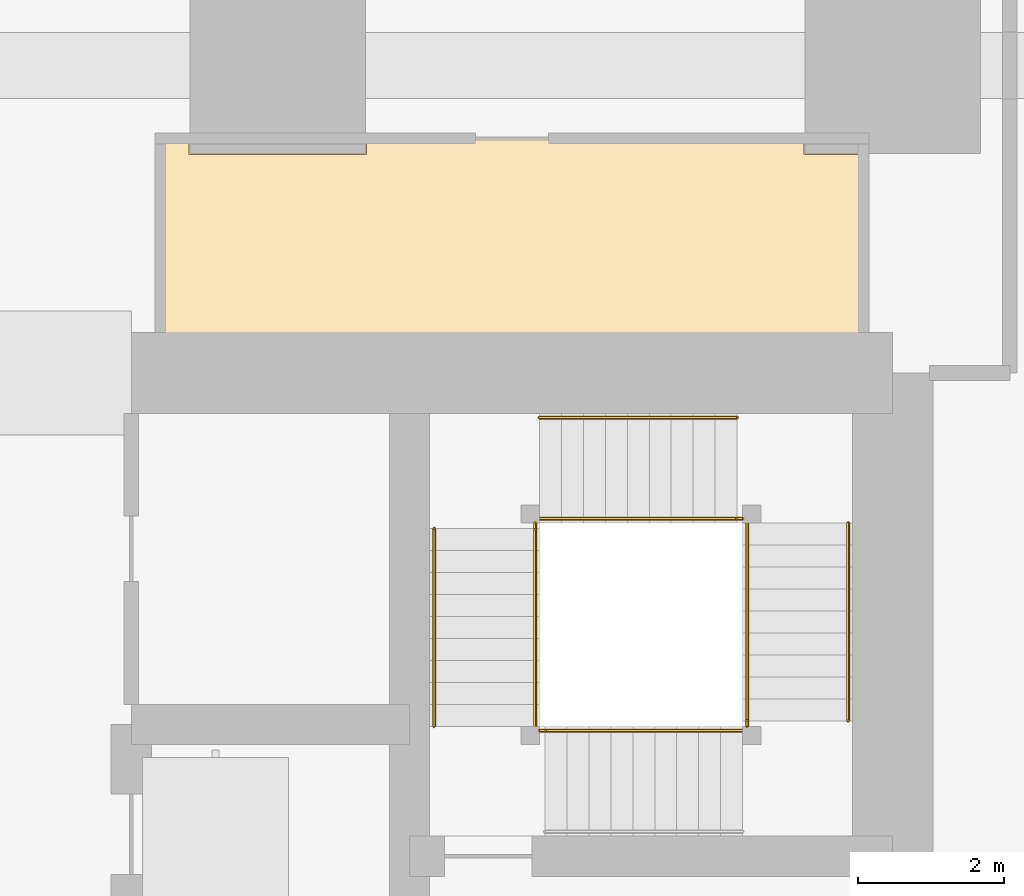
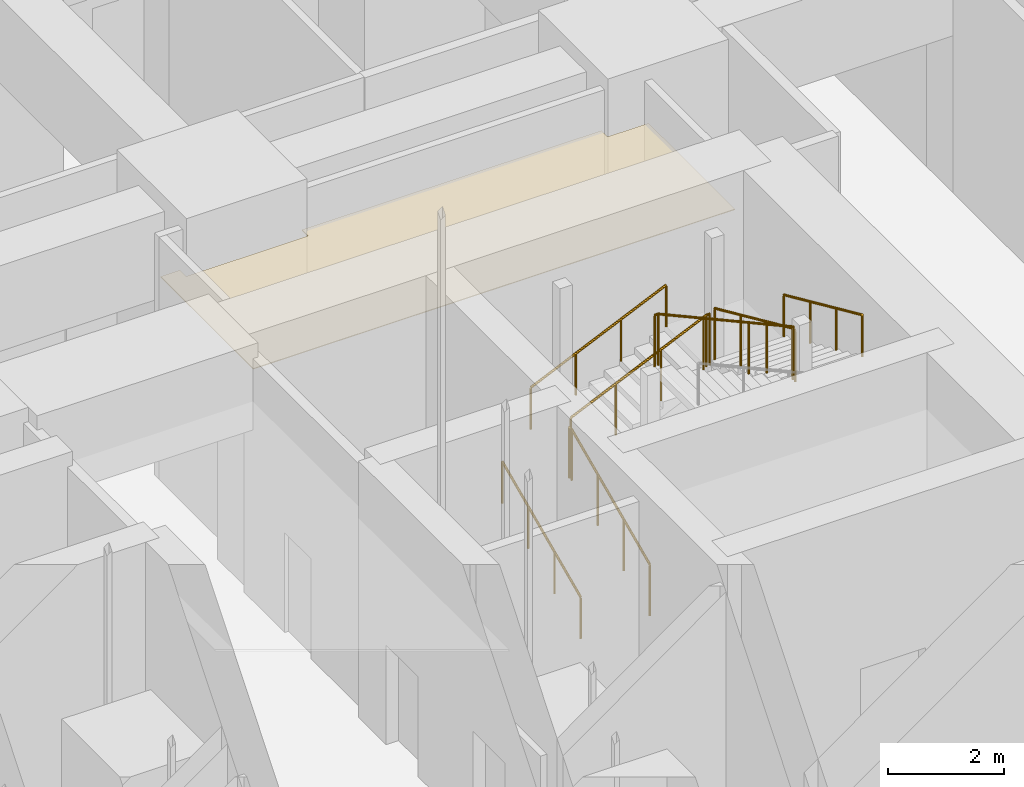
# One storey, part 53 of 81: 11 railings, 1 covering.
"""IFC4 building model written with IfcOpenShell, lengths in metres."""

from ifc_helpers import new_model, si_unit, direction, frame, origin, origin_2d, place, context, subcontext, project, spatial, polyline, circle, outline, extrude, material, layer, layer_set, type_object, element, save


model = new_model("IFC4")

# Units and contexts
model_context = context("Model", 3, precision=1e-05, world=origin(), true_north=direction((0.0, 1.0)))
body_context = subcontext(model_context, "Body", "Model", "MODEL_VIEW")
ifc_project = project(units=[si_unit("LENGTHUNIT", "METRE"), si_unit("AREAUNIT", "SQUARE_METRE"), si_unit("VOLUMEUNIT", "CUBIC_METRE"), si_unit("PLANEANGLEUNIT", "RADIAN"), si_unit("MASSUNIT", "GRAM", prefix="KILO")], contexts=[model_context])

# Site, building, storey
site_placement = place(None, origin())
site = spatial("IfcSite", under=ifc_project, at=site_placement, CompositionType="ELEMENT")
building_placement = place(site_placement, origin())
building = spatial("IfcBuilding", under=site, at=building_placement, Name="Rekha Terrace Tower", CompositionType="ELEMENT")
storey_placement = place(building_placement, origin())
storey = spatial("IfcBuildingStorey", under=building, at=storey_placement, Name="L00", CompositionType="ELEMENT", Elevation=0.0)

# Covering
ifc_material_1 = material(Name="Fibre cement board", Category="finish")
ifc_layer = layer(ifc_material_1, 0.014892578125)
ifc_layer_set = layer_set([ifc_layer], Name="Fibre cement board")
covering_type = type_object("IfcCoveringType", Name="CL2 moisture-resistant board ceiling", PredefinedType="CEILING", material=ifc_layer_set)
covering_placement = place(storey_placement, frame((0.0, 0.0, 4.18505859375)))
element("IfcCovering", 1, at=covering_placement, inside=storey, type_object=covering_type, Name="Ceiling L00-WCF", PredefinedType="CEILING", context=body_context, shape_type="SweptSolid", body=[
    extrude(outline(polyline([(40.784912109375, 49.39990234375), (40.39990234375, 49.39990234375), (40.39990234375, 46.199951171875), (50.0, 46.199951171875), (50.0, 49.18505859375), (49.18505859375, 49.18505859375), (49.18505859375, 49.39990234375), (43.215087890625, 49.39990234375), (43.215087890625, 49.18505859375), (40.784912109375, 49.18505859375), (40.784912109375, 49.39990234375)])), origin(), (0.0, 0.0, 1.0), 0.014892578125),
])

# Railings
ifc_material_2 = material(Name="Stainless steel balustrade", Category="steel")
railing_type_1 = type_object("IfcRailingType", Name="GR1 1100 stair guard", PredefinedType="GUARDRAIL", material=ifc_material_2)
railing_1_placement = place(storey_placement, frame((45.514892578125, 41.375, 0.135009765625)))
element("IfcRailing", 2, at=railing_1_placement, inside=storey, type_object=railing_type_1, Name="Guard ST2 L00 flight 1", PredefinedType="GUARDRAIL", context=body_context, shape_type="SweptSolid", body=[
    extrude(circle(Radius=0.02392578125, at=origin_2d()), frame((0.0, 0.0, 1.076171875), z_axis=(0.0, 0.911907618724, 0.410395534713), x_axis=(-1.0, 0.0, 0.0)), (0.0, 0.0, 1.0), 2.960693359375),
    extrude(circle(Radius=0.02099609375, at=origin_2d()), origin(), (0.0, 0.0, 1.0), 1.052001953125),
    extrude(circle(Radius=0.02099609375, at=origin_2d()), frame((0.0, 0.89990234375, 0.405029296875)), (0.0, 0.0, 1.0), 1.052001953125),
    extrude(circle(Radius=0.02099609375, at=origin_2d()), frame((0.0, 1.800048828125, 0.81005859375)), (0.0, 0.0, 1.0), 1.052001953125),
    extrude(circle(Radius=0.02099609375, at=origin_2d()), frame((0.0, 2.699951171875, 1.215087890625)), (0.0, 0.0, 1.0), 1.052001953125),
])
railing_2_placement = place(storey_placement, frame((45.574951171875, 44.2099609375, 1.485107421875)))
element("IfcRailing", 3, at=railing_2_placement, inside=storey, type_object=railing_type_1, Name="Guard ST2 L00 flight 2", PredefinedType="GUARDRAIL", context=body_context, shape_type="SweptSolid", body=[
    extrude(circle(Radius=0.02392578125, at=origin_2d()), frame((0.0, 0.0, 1.076171875), z_axis=(0.91193847666, 0.0, 0.410326960834), x_axis=(0.0, 1.0, 0.0)), (0.0, 0.0, 1.0), 2.960693359375),
    extrude(circle(Radius=0.02099609375, at=origin_2d()), origin(), (0.0, 0.0, 1.0), 1.052001953125),
    extrude(circle(Radius=0.02099609375, at=origin_2d()), frame((0.89990234375, 0.0, 0.405029296875)), (0.0, 0.0, 1.0), 1.052001953125),
    extrude(circle(Radius=0.02099609375, at=origin_2d()), frame((1.800048828125, 0.0, 0.809814453125)), (0.0, 0.0, 1.0), 1.052001953125),
    extrude(circle(Radius=0.02099609375, at=origin_2d()), frame((2.699951171875, 0.0, 1.21484375)), (0.0, 0.0, 1.0), 1.052001953125),
])
railing_3_placement = place(storey_placement, frame((48.409912109375, 44.14990234375, 2.8349609375)))
element("IfcRailing", 4, at=railing_3_placement, inside=storey, type_object=railing_type_1, Name="Guard ST2 L00 flight 3", PredefinedType="GUARDRAIL", context=body_context, shape_type="SweptSolid", body=[
    extrude(circle(Radius=0.02392578125, at=origin_2d()), frame((0.0, 0.0, 1.076171875), z_axis=(0.0, -0.911907618724, 0.410395534713), x_axis=(1.0, 0.0, 0.0)), (0.0, 0.0, 1.0), 2.960693359375),
    extrude(circle(Radius=0.02099609375, at=origin_2d()), origin(), (0.0, 0.0, 1.0), 1.052001953125),
    extrude(circle(Radius=0.02099609375, at=origin_2d()), frame((0.0, -0.89990234375, 0.405029296875)), (0.0, 0.0, 1.0), 1.052001953125),
    extrude(circle(Radius=0.02099609375, at=origin_2d()), frame((0.0, -1.800048828125, 0.81005859375)), (0.0, 0.0, 1.0), 1.052001953125),
    extrude(circle(Radius=0.02099609375, at=origin_2d()), frame((0.0, -2.699951171875, 1.215087890625)), (0.0, 0.0, 1.0), 1.052001953125),
])
railing_4_placement = place(storey_placement, frame((48.35009765625, 41.31494140625, 4.18505859375)))
element("IfcRailing", 5, at=railing_4_placement, inside=storey, type_object=railing_type_1, Name="Guard ST2 L00 flight 4", PredefinedType="GUARDRAIL", context=body_context, shape_type="SweptSolid", body=[
    extrude(circle(Radius=0.02392578125, at=origin_2d()), frame((0.0, 0.0, 1.076171875), z_axis=(-0.91195235894, 0.0, 0.410296106518), x_axis=(0.0, -1.0, 0.0)), (0.0, 0.0, 1.0), 2.9609375),
    extrude(circle(Radius=0.02099609375, at=origin_2d()), origin(), (0.0, 0.0, 1.0), 1.052001953125),
    extrude(circle(Radius=0.02099609375, at=origin_2d()), frame((-0.900146484375, 0.0, 0.405029296875)), (0.0, 0.0, 1.0), 1.052001953125),
    extrude(circle(Radius=0.02099609375, at=origin_2d()), frame((-1.800048828125, 0.0, 0.809814453125)), (0.0, 0.0, 1.0), 1.052001953125),
    extrude(circle(Radius=0.02099609375, at=origin_2d()), frame((-2.7001953125, 0.0, 1.21484375)), (0.0, 0.0, 1.0), 1.052001953125),
])
railing_5_placement = place(storey_placement, frame((45.514892578125, 44.074951171875, 1.35009765625)))
element("IfcRailing", 6, at=railing_5_placement, inside=storey, type_object=railing_type_1, Name="Guard ST2 L00 landing 1", PredefinedType="GUARDRAIL", context=body_context, shape_type="SweptSolid", body=[
    extrude(circle(Radius=0.02392578125, at=origin_2d()), frame((0.0, 0.0, 1.076171875), z_axis=(0.0, 1.0, 0.0), x_axis=(-1.0, 0.0, 0.0)), (0.0, 0.0, 1.0), 0.074951171875),
    extrude(circle(Radius=0.02099609375, at=origin_2d()), origin(), (0.0, 0.0, 1.0), 1.052001953125),
    extrude(circle(Radius=0.02099609375, at=origin_2d()), frame((0.0, 0.074951171875, 0.0)), (0.0, 0.0, 1.0), 1.052001953125),
])
railing_6_placement = place(storey_placement, frame((48.27490234375, 44.2099609375, 2.699951171875)))
element("IfcRailing", 7, at=railing_6_placement, inside=storey, type_object=railing_type_1, Name="Guard ST2 L00 landing 2", PredefinedType="GUARDRAIL", context=body_context, shape_type="SweptSolid", body=[
    extrude(circle(Radius=0.02392578125, at=origin_2d()), frame((0.0, 0.0, 1.076171875), z_axis=(1.0, 0.0, 0.0), x_axis=(0.0, 1.0, 0.0)), (0.0, 0.0, 1.0), 0.0751953125),
    extrude(circle(Radius=0.02099609375, at=origin_2d()), origin(), (0.0, 0.0, 1.0), 1.052001953125),
    extrude(circle(Radius=0.02099609375, at=origin_2d()), frame((0.0751953125, 0.0, 0.0)), (0.0, 0.0, 1.0), 1.052001953125),
])
railing_7_placement = place(storey_placement, frame((48.409912109375, 41.375, 4.050048828125)))
element("IfcRailing", 8, at=railing_7_placement, inside=storey, type_object=railing_type_1, Name="Guard ST2 L00 landing 3", PredefinedType="GUARDRAIL", context=body_context, shape_type="SweptSolid", body=[
    extrude(circle(Radius=0.02392578125, at=origin_2d()), frame((0.0, 0.0, 1.076171875), z_axis=(0.0, 1.0, 0.0), x_axis=(-1.0, 0.0, 0.0)), (0.0, 0.0, 1.0), 0.074951171875),
    extrude(circle(Radius=0.02099609375, at=origin_2d()), origin(), (0.0, 0.0, 1.0), 1.052001953125),
    extrude(circle(Radius=0.02099609375, at=origin_2d()), frame((0.0, 0.074951171875, 0.0)), (0.0, 0.0, 1.0), 1.052001953125),
])
railing_8_placement = place(storey_placement, frame((45.574951171875, 41.31494140625, 5.39990234375)))
element("IfcRailing", 9, at=railing_8_placement, inside=storey, type_object=railing_type_1, Name="Guard ST2 L00 landing 4", PredefinedType="GUARDRAIL", context=body_context, shape_type="SweptSolid", body=[
    extrude(circle(Radius=0.02392578125, at=origin_2d()), frame((0.0, 0.0, 1.076171875), z_axis=(1.0, 0.0, 0.0), x_axis=(0.0, 1.0, 0.0)), (0.0, 0.0, 1.0), 0.074951171875),
    extrude(circle(Radius=0.02099609375, at=origin_2d()), origin(), (0.0, 0.0, 1.0), 1.052001953125),
    extrude(circle(Radius=0.02099609375, at=origin_2d()), frame((0.074951171875, 0.0, 0.0)), (0.0, 0.0, 1.0), 1.052001953125),
])
ifc_material_3 = material(Name="Stainless steel tube", Category="steel")
railing_type_2 = type_object("IfcRailingType", Name="HR1 900 stair handrail", PredefinedType="HANDRAIL", material=ifc_material_3)
railing_9_placement = place(storey_placement, frame((44.135009765625, 41.375, 0.135009765625)))
element("IfcRailing", 10, at=railing_9_placement, inside=storey, type_object=railing_type_2, Name="Handrail ST2 L00 flight 1", PredefinedType="HANDRAIL", context=body_context, shape_type="SweptSolid", body=[
    extrude(circle(Radius=0.02392578125, at=origin_2d()), frame((0.0, 0.0, 0.8759765625), z_axis=(0.0, 0.911907618724, 0.410395534713), x_axis=(-1.0, 0.0, 0.0)), (0.0, 0.0, 1.0), 2.960693359375),
    extrude(circle(Radius=0.02099609375, at=origin_2d()), origin(), (0.0, 0.0, 1.0), 0.851806640625),
    extrude(circle(Radius=0.02099609375, at=origin_2d()), frame((0.0, 0.89990234375, 0.405029296875)), (0.0, 0.0, 1.0), 0.851806640625),
    extrude(circle(Radius=0.02099609375, at=origin_2d()), frame((0.0, 1.800048828125, 0.81005859375)), (0.0, 0.0, 1.0), 0.851806640625),
    extrude(circle(Radius=0.02099609375, at=origin_2d()), frame((0.0, 2.699951171875, 1.215087890625)), (0.0, 0.0, 1.0), 0.851806640625),
])
railing_10_placement = place(storey_placement, frame((45.574951171875, 45.590087890625, 1.485107421875)))
element("IfcRailing", 11, at=railing_10_placement, inside=storey, type_object=railing_type_2, Name="Handrail ST2 L00 flight 2", PredefinedType="HANDRAIL", context=body_context, shape_type="SweptSolid", body=[
    extrude(circle(Radius=0.02392578125, at=origin_2d()), frame((0.0, 0.0, 0.8759765625), z_axis=(0.91193847666, 0.0, 0.410326960834), x_axis=(0.0, 1.0, 0.0)), (0.0, 0.0, 1.0), 2.960693359375),
    extrude(circle(Radius=0.02099609375, at=origin_2d()), origin(), (0.0, 0.0, 1.0), 0.851806640625),
    extrude(circle(Radius=0.02099609375, at=origin_2d()), frame((0.89990234375, 0.0, 0.405029296875)), (0.0, 0.0, 1.0), 0.851806640625),
    extrude(circle(Radius=0.02099609375, at=origin_2d()), frame((1.800048828125, 0.0, 0.809814453125)), (0.0, 0.0, 1.0), 0.851806640625),
    extrude(circle(Radius=0.02099609375, at=origin_2d()), frame((2.699951171875, 0.0, 1.21484375)), (0.0, 0.0, 1.0), 0.851806640625),
])
railing_11_placement = place(storey_placement, frame((49.7900390625, 44.14990234375, 2.8349609375)))
element("IfcRailing", 12, at=railing_11_placement, inside=storey, type_object=railing_type_2, Name="Handrail ST2 L00 flight 3", PredefinedType="HANDRAIL", context=body_context, shape_type="SweptSolid", body=[
    extrude(circle(Radius=0.02392578125, at=origin_2d()), frame((0.0, 0.0, 0.8759765625), z_axis=(0.0, -0.911907618724, 0.410395534713), x_axis=(1.0, 0.0, 0.0)), (0.0, 0.0, 1.0), 2.960693359375),
    extrude(circle(Radius=0.02099609375, at=origin_2d()), origin(), (0.0, 0.0, 1.0), 0.851806640625),
    extrude(circle(Radius=0.02099609375, at=origin_2d()), frame((0.0, -0.89990234375, 0.405029296875)), (0.0, 0.0, 1.0), 0.851806640625),
    extrude(circle(Radius=0.02099609375, at=origin_2d()), frame((0.0, -1.800048828125, 0.81005859375)), (0.0, 0.0, 1.0), 0.851806640625),
    extrude(circle(Radius=0.02099609375, at=origin_2d()), frame((0.0, -2.699951171875, 1.215087890625)), (0.0, 0.0, 1.0), 0.851806640625),
])

save(model, "model.ifc")
